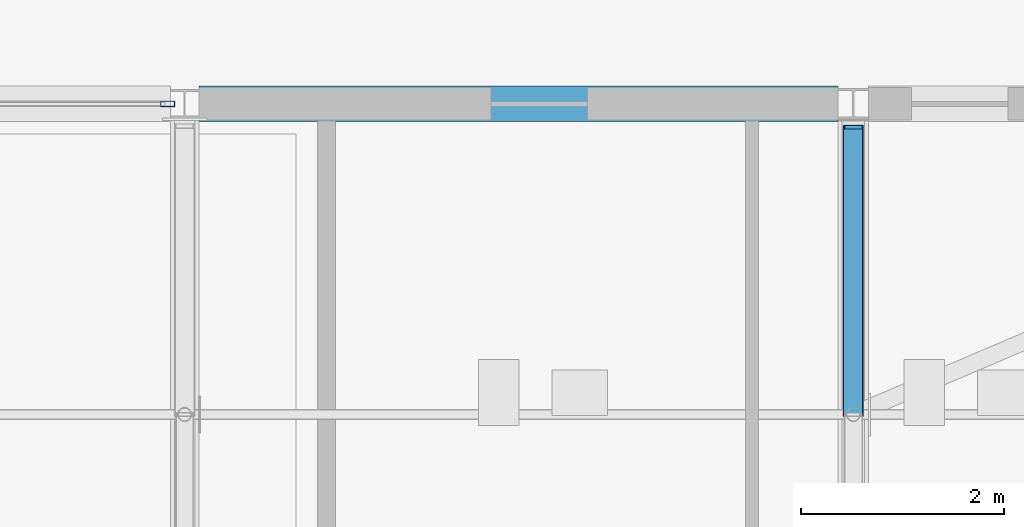
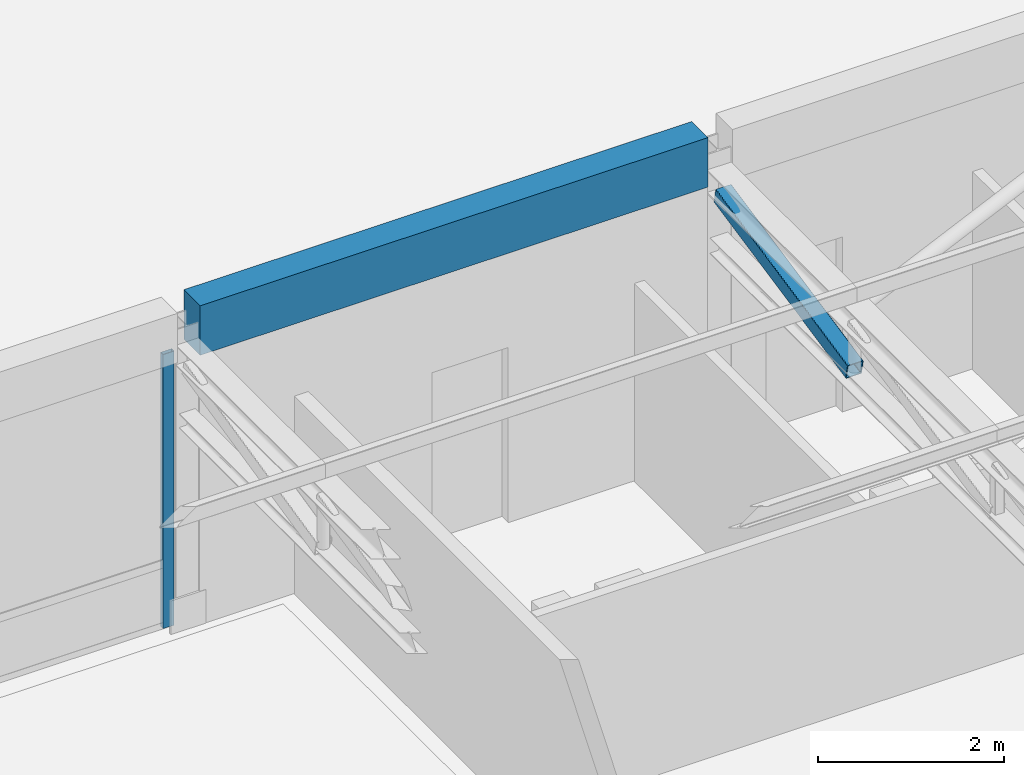
# One storey, part 29 of 92: 2 members, 1 beam, 1 element without a shape of its own.
"""IFC4 building model written with IfcOpenShell, lengths in metres."""

import ifcopenshell
import ifcopenshell.guid

model = None  # the IFC model being written
_history = None  # IfcOwnerHistory: only IFC2X3 demands one
_inside = {}  # id of a spatial element -> (the spatial element, [elements in it])
_under = {}  # id of a project, library or spatial element -> (it, [spatial elements below it])
_declared = {}  # id of a project -> (the project, [libraries it declares])
_typed = {}  # id of a type object -> (the type object, [elements of that type])
_made_of = {}  # id of a material, layer set ... -> (it, [elements and type objects made of it])


def new_model(schema):
    """Start an empty IFC model of exactly this schema.

    Asked for "IFC4X3", IfcOpenShell would pick the latest addendum, in which some entities
    have other attributes; the version numbers below select the first issue.
    IFC2X3 requires an IfcOwnerHistory on every rooted entity: one is made here for all.
    """
    global model, _history
    if schema == "IFC4X3":
        model = ifcopenshell.file(schema_version=(4, 3, 0, 0))
    else:
        model = ifcopenshell.file(schema=schema)
    _inside.clear()
    _under.clear()
    _declared.clear()
    _typed.clear()
    _made_of.clear()
    _history = None
    if model.schema == "IFC2X3":
        org = make("IfcOrganization", Name="unknown")
        user = make(
            "IfcPersonAndOrganization",
            ThePerson=make("IfcPerson", FamilyName="unknown"),
            TheOrganization=org,
        )
        app = make(
            "IfcApplication",
            ApplicationDeveloper=org,
            Version="unknown",
            ApplicationFullName="unknown",
            ApplicationIdentifier="unknown",
        )
        _history = make(
            "IfcOwnerHistory",
            OwningUser=user,
            OwningApplication=app,
            ChangeAction="ADDED",
            CreationDate=0,
        )
    return model


def make(cls, **values):
    """One entity of the class cls with the attributes given. An attribute that is None is left unset."""
    return model.create_entity(
        cls, **{name: value for name, value in values.items() if value is not None}
    )


def rooted(cls, **values):
    """An entity with a GlobalId (a new one), such as an element, a storey or a relation."""
    return make(cls, GlobalId=ifcopenshell.guid.new(), OwnerHistory=_history, **values)


def si_unit(unit_type, name, prefix=None):
    """IfcSIUnit, for example si_unit("LENGTHUNIT", "METRE", prefix="MILLI")."""
    return make("IfcSIUnit", UnitType=unit_type, Prefix=prefix, Name=name)


def assignment(units):
    """IfcUnitAssignment: the units of a project."""
    return None if units is None else make("IfcUnitAssignment", Units=units)


def point(xyz):
    """IfcCartesianPoint."""
    return None if xyz is None else make("IfcCartesianPoint", Coordinates=xyz)


def direction(xyz):
    """IfcDirection."""
    return None if xyz is None else make("IfcDirection", DirectionRatios=xyz)


def frame(location, z_axis=None, x_axis=None):
    """IfcAxis2Placement3D, a coordinate frame: its origin and axes. An axis left out is left unset."""
    return make(
        "IfcAxis2Placement3D",
        Location=point(location),
        Axis=direction(z_axis),
        RefDirection=direction(x_axis),
    )


def frame_2d(location, x_axis=None):
    """IfcAxis2Placement2D, a coordinate frame in the plane: its origin and x axis."""
    return make(
        "IfcAxis2Placement2D", Location=point(location), RefDirection=direction(x_axis)
    )


def origin():
    """The frame at (0, 0, 0) with its axes left unset."""
    return frame((0.0, 0.0, 0.0))


def origin_2d():
    """The frame at (0, 0) in the plane with its x axis left unset."""
    return frame_2d((0.0, 0.0))


def place(relative_to, where):
    """IfcLocalPlacement: puts the frame where relative to a parent placement (None: the world)."""
    return make(
        "IfcLocalPlacement", PlacementRelTo=relative_to, RelativePlacement=where
    )


def context(
    kind, dimensions, precision=None, world=None, true_north=None, identifier=None
):
    """IfcGeometricRepresentationContext, for example the 3D "Model" context."""
    return make(
        "IfcGeometricRepresentationContext",
        ContextIdentifier=identifier,
        ContextType=kind,
        CoordinateSpaceDimension=dimensions,
        Precision=precision,
        WorldCoordinateSystem=world,
        TrueNorth=true_north,
    )


def subcontext(parent, identifier, kind, view, scale=None):
    """IfcGeometricRepresentationSubContext, for example "Body" below "Model"."""
    return make(
        "IfcGeometricRepresentationSubContext",
        ContextIdentifier=identifier,
        ContextType=kind,
        ParentContext=parent,
        TargetScale=scale,
        TargetView=view,
    )


def project(units=None, contexts=None):
    """IfcProject with its units and contexts."""
    return rooted(
        "IfcProject",
        Name="project",
        RepresentationContexts=contexts,
        UnitsInContext=assignment(units),
    )


def spatial(cls, under=None, at=None, **own):
    """A site, building, storey or space (cls), placed at a placement, below another one or the project."""
    s = rooted(cls, ObjectPlacement=at, **own)
    if under is not None:
        _under.setdefault(under.id(), (under, []))[1].append(s)
    return s


def profile(cls, at=None, kind="AREA", **sizes):
    """A parametric profile (cls). Its sizes go by their IFC names, for example OverallWidth=200.0."""
    return make(cls, ProfileType=kind, Position=at, **sizes)


def rectangle(**sizes):
    """IfcRectangleProfileDef."""
    return profile("IfcRectangleProfileDef", **sizes)


def hollow_rectangle(**sizes):
    """IfcRectangleHollowProfileDef."""
    return profile("IfcRectangleHollowProfileDef", **sizes)


def extrude(swept, where, along, depth):
    """IfcExtrudedAreaSolid: the profile swept, set in the frame where, extruded along a direction by depth."""
    return make(
        "IfcExtrudedAreaSolid",
        SweptArea=swept,
        Position=where,
        ExtrudedDirection=direction(along),
        Depth=depth,
    )


def shape(context_of_items, identifier, shape_type, items):
    """IfcShapeRepresentation: the items that make up one representation, for example the "Body"."""
    return make(
        "IfcShapeRepresentation",
        ContextOfItems=context_of_items,
        RepresentationIdentifier=identifier,
        RepresentationType=shape_type,
        Items=items,
    )


def material(Name=None, Category=None):
    """IfcMaterial."""
    return make("IfcMaterial", Name=Name, Category=Category)


def material_profile(
    of_material, cross_section, Name=None, Category=None, Priority=None
):
    """IfcMaterialProfile: a cross section and its material."""
    return make(
        "IfcMaterialProfile",
        Name=Name,
        Material=of_material,
        Profile=cross_section,
        Priority=Priority,
        Category=Category,
    )


def profile_set(profiles, Name=None, composite=None):
    """IfcMaterialProfileSet."""
    return make(
        "IfcMaterialProfileSet",
        Name=Name,
        MaterialProfiles=profiles,
        CompositeProfile=composite,
    )


def made_of(thing, what):
    """Note that an element or type object is made of a material, layer set ...; save() writes the relation."""
    if what is not None:
        _made_of.setdefault(what.id(), (what, []))[1].append(thing)
    return thing


def type_object(cls, material=None, **own):
    """A type object (cls), such as IfcWallType, which elements share."""
    return made_of(rooted(cls, **own), material)


def element(
    cls,
    number,
    at=None,
    inside=None,
    cuts=None,
    type_object=None,
    material=None,
    context=None,
    identifier="Body",
    shape_type=None,
    held_by="IfcProductDefinitionShape",
    body=None,
    shapes=None,
    **own,
):
    """One element of the class cls, such as IfcWall. Its Tag is "e" and its number.

    at: its placement. inside: the storey or other place that contains it. cuts: it is an
    opening in that element (IfcRelVoidsElement). A single representation is given by context,
    identifier, shape_type and body (its items); several are given by shapes. held_by: the class
    of the entity that holds the representations. save() writes the other relations.
    """
    e = rooted(cls, Tag="e%d" % number, ObjectPlacement=at, **own)
    if body is not None:
        shapes = [shape(context, identifier, shape_type, body)]
    if shapes is not None:
        e.Representation = make(held_by, Representations=shapes)
    if inside is not None:
        _inside.setdefault(inside.id(), (inside, []))[1].append(e)
    if cuts is not None:
        rooted(
            "IfcRelVoidsElement", RelatingBuildingElement=cuts, RelatedOpeningElement=e
        )
    if type_object is not None:
        _typed.setdefault(type_object.id(), (type_object, []))[1].append(e)
    return made_of(e, material)


def aggregate(whole, parts):
    """IfcRelAggregates: a whole, such as a stair, and the parts it consists of."""
    return rooted("IfcRelAggregates", RelatingObject=whole, RelatedObjects=parts)


def save(model, path):
    """Write the relations noted so far, then the file.

    IfcRelAggregates (storeys below a building ...), IfcRelContainedInSpatialStructure (elements
    in a storey), IfcRelDefinesByType, IfcRelAssociatesMaterial and IfcRelDeclares: one each for
    every whole, place, type object, material and project.
    """
    for whole, parts in _under.values():
        aggregate(whole, parts)
    for where, things in _inside.values():
        rooted(
            "IfcRelContainedInSpatialStructure",
            RelatedElements=things,
            RelatingStructure=where,
        )
    for kind, things in _typed.values():
        rooted("IfcRelDefinesByType", RelatedObjects=things, RelatingType=kind)
    for what, things in _made_of.values():
        rooted("IfcRelAssociatesMaterial", RelatedObjects=things, RelatingMaterial=what)
    for by, libraries in _declared.values():
        rooted("IfcRelDeclares", RelatingContext=by, RelatedDefinitions=libraries)
    model.write(path)


model = new_model("IFC4")

# Units and contexts
model_context = context("Model", 3, precision=1e-05, world=origin(), true_north=direction((0.0, 1.0)))
body_context = subcontext(model_context, "Body", "Model", "MODEL_VIEW")
ifc_project = project(units=[si_unit("LENGTHUNIT", "METRE"), si_unit("AREAUNIT", "SQUARE_METRE"), si_unit("VOLUMEUNIT", "CUBIC_METRE"), si_unit("PLANEANGLEUNIT", "RADIAN"), si_unit("MASSUNIT", "GRAM", prefix="KILO")], contexts=[model_context])

# Site, building, storey
site_placement = place(None, origin())
site = spatial("IfcSite", under=ifc_project, at=site_placement, CompositionType="ELEMENT")
building_placement = place(site_placement, origin())
building = spatial("IfcBuilding", under=site, at=building_placement, Name="Kernevlak Ridge Housing Community", CompositionType="ELEMENT")
storey_placement = place(building_placement, frame((0.0, 0.0, 4.199951171875)))
storey = spatial("IfcBuildingStorey", under=building, at=storey_placement, Name="L01", CompositionType="ELEMENT", Elevation=4.199951171875)

# Beam
ifc_material_1 = material(Name="Concrete C35/45", Category="concrete")
ifc_material_profile_1 = material_profile(ifc_material_1, rectangle(XDim=0.35009765625, YDim=0.64990234375, at=origin_2d()), Name="RC 350x650")
ifc_profile_set_1 = profile_set([ifc_material_profile_1], Name="Concrete C35/45")
beam_type = type_object("IfcBeamType", Name="B-02", PredefinedType="BEAM", material=ifc_profile_set_1)
beam_placement = place(storey_placement, frame((90.739990234375, 68.199951171875, 3.875), z_axis=(1.0, 0.0, 0.0), x_axis=(0.0, 1.0, 0.0)))
element("IfcBeam", 1, at=beam_placement, inside=storey, type_object=beam_type, Name="Beam B-02 L01 2417", PredefinedType="BEAM", context=body_context, shape_type="SweptSolid", body=[
    extrude(rectangle(XDim=0.35009765625, YDim=0.64990234375, at=origin_2d()), origin(), (0.0, 0.0, 1.0), 6.31005859375),
])

# Member
ifc_material_2 = material(Name="Steel S355", Category="steel")
ifc_material_profile_2 = material_profile(ifc_material_2, hollow_rectangle(XDim=0.199951171875, YDim=0.199951171875, WallThickness=0.010009765625, InnerFilletRadius=0.010009765625, OuterFilletRadius=0.014892578125, at=origin_2d()), Name="SHS 200x200x10")
ifc_profile_set_2 = profile_set([ifc_material_profile_2], Name="Steel S355")
member_type_1 = type_object("IfcMemberType", Name="BR-01", PredefinedType="BRACE", material=ifc_profile_set_2)
member_1_placement = place(storey_placement, frame((97.199951171875, 65.13330078125, 2.85498046875), z_axis=(0.0, 0.978704122893, 0.205276008907), x_axis=(-1.0, 0.0, 0.0)))
element("IfcMember", 2, at=member_1_placement, inside=storey, type_object=member_type_1, Name="Community Hall roof truss 6 web diagonal 6", PredefinedType="BRACE", context=body_context, shape_type="SweptSolid", body=[
    extrude(hollow_rectangle(XDim=0.199951171875, YDim=0.199951171875, WallThickness=0.010009765625, InnerFilletRadius=0.010009765625, OuterFilletRadius=0.014892578125, at=origin_2d()), origin(), (0.0, 0.0, 1.0), 2.8984375),
])

# Curtain wall, member
ifc_material_3 = material(Name="Aluminium EN AW-6060 anodised and laminated glass", Category="aluminium")
curtain_wall_type = type_object("IfcCurtainWallType", Name="CW-13", PredefinedType="NOTDEFINED", material=ifc_material_3)
curtain_wall_placement = place(storey_placement, origin())
curtain_wall = element("IfcCurtainWall", 3, at=curtain_wall_placement, inside=storey, type_object=curtain_wall_type, Name="Curtain wall CW-13 CW-L01-180", PredefinedType="NOTDEFINED")
ifc_material_4 = material(Name="Aluminium EN AW-6060 anodised", Category="aluminium")
ifc_material_profile_3 = material_profile(ifc_material_4, hollow_rectangle(XDim=0.054931640625, YDim=0.139892578125, WallThickness=0.00390625, InnerFilletRadius=0.001953125, OuterFilletRadius=0.00390625, at=origin_2d()), Name="ALU 55x140x4")
ifc_profile_set_3 = profile_set([ifc_material_profile_3], Name="Aluminium EN AW-6060 anodised")
member_type_2 = type_object("IfcMemberType", Name="MU-01", PredefinedType="MULLION", material=ifc_profile_set_3)
member_2_placement = place(storey_placement, frame((90.4326171875, 68.199951171875, 0.0), z_axis=(0.0, 0.0, 1.0), x_axis=(0.0, 1.0, 0.0)))
member_2 = element("IfcMember", 4, at=member_2_placement, type_object=member_type_2, Name="CW-13 mullion 3", PredefinedType="MULLION", context=body_context, shape_type="SweptSolid", body=[
    extrude(hollow_rectangle(XDim=0.054931640625, YDim=0.139892578125, WallThickness=0.00390625, InnerFilletRadius=0.001953125, OuterFilletRadius=0.00390625, at=origin_2d()), origin(), (0.0, 0.0, 1.0), 3.60009765625),
])
aggregate(curtain_wall, [member_2])

save(model, "model.ifc")
